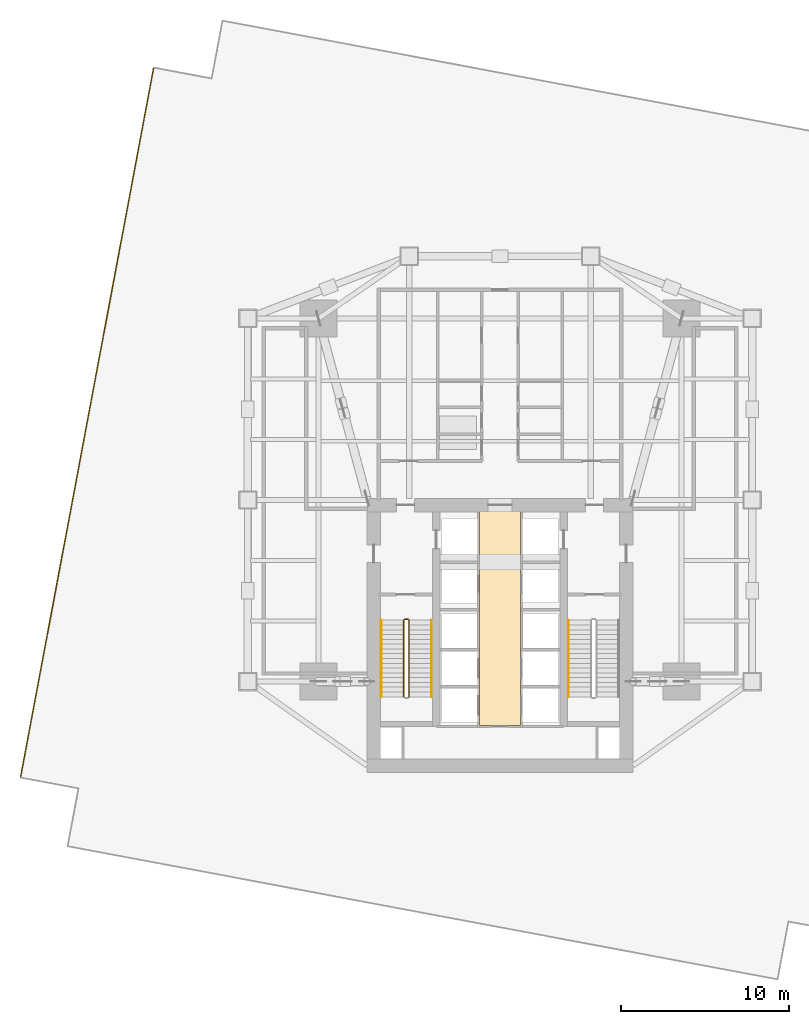
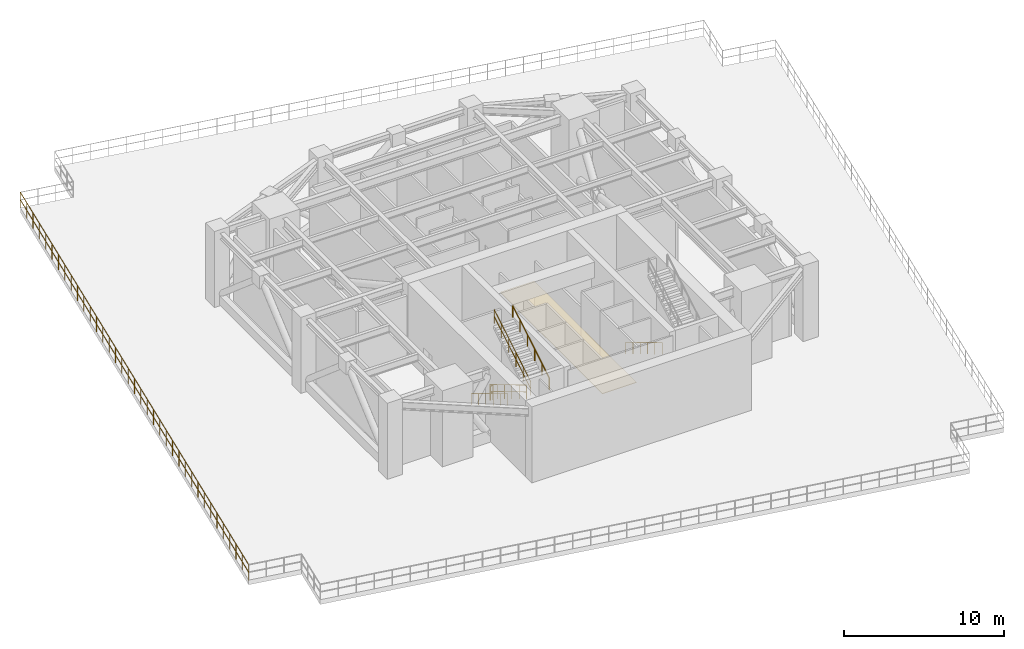
# One storey, part 8 of 10: 7 railings, 1 covering.
"""IFC4 building model written with IfcOpenShell, lengths in metres."""

from ifc_helpers import new_model, si_unit, direction, frame, origin, origin_2d, place, context, subcontext, project, spatial, polyline, circle, outline, extrude, material, layer, layer_set, type_object, element, save


model = new_model("IFC4")

# Units and contexts
model_context = context("Model", 3, precision=1e-05, world=origin(), true_north=direction((0.0, 1.0)))
body_context = subcontext(model_context, "Body", "Model", "MODEL_VIEW")
ifc_project = project(units=[si_unit("LENGTHUNIT", "METRE"), si_unit("AREAUNIT", "SQUARE_METRE"), si_unit("VOLUMEUNIT", "CUBIC_METRE"), si_unit("PLANEANGLEUNIT", "RADIAN"), si_unit("MASSUNIT", "GRAM", prefix="KILO")], contexts=[model_context])

# Site, building, storey
site_placement = place(None, origin())
site = spatial("IfcSite", under=ifc_project, at=site_placement, CompositionType="ELEMENT")
building_placement = place(site_placement, origin())
building = spatial("IfcBuilding", under=site, at=building_placement, Name="Krantzveldt Concourse Tower", CompositionType="ELEMENT")
storey_placement = place(building_placement, frame((0.0, 0.0, 80.300048828125)))
storey = spatial("IfcBuildingStorey", under=building, at=storey_placement, Name="L19", CompositionType="ELEMENT", Elevation=80.300048828125)

# Covering
ifc_material_1 = material(Name="Perforated acoustic mineral-fibre ceiling tile", Category="ceiling")
ifc_layer_1 = layer(ifc_material_1, 0.0400390625, Name="Perforated acoustic mineral-fibre ceiling tile", Category="ceiling")
ifc_layer_set_1 = layer_set([ifc_layer_1], Name="Perforated acoustic mineral-fibre ceiling tile (COV-CEIL-ACOUSTIC)")
covering_type = type_object("IfcCoveringType", Name="COV-CEIL-ACOUSTIC", PredefinedType="CEILING", material=ifc_layer_set_1)
covering_placement = place(storey_placement, frame((0.0, 0.0, 2.75)))
element("IfcCovering", 1, at=covering_placement, inside=storey, type_object=covering_type, Name="CLG-L19-LLB", PredefinedType="CEILING", context=body_context, shape_type="SweptSolid", body=[
    extrude(outline(polyline([(37.22509765625, 13.27490234375), (34.77490234375, 13.27490234375), (34.77490234375, 26.044921875), (37.22509765625, 26.044921875), (37.22509765625, 13.27490234375)])), origin(), (0.0, 0.0, 1.0), 0.0400390625),
])

# Railings
ifc_material_2 = material(Name="Stainless steel 316L", Category="steel")
ifc_layer_2 = layer(ifc_material_2, 0.080078125, Name="Stainless steel 316L", Category="steel")
ifc_layer_set_2 = layer_set([ifc_layer_2], Name="Stainless steel 316L (RL-BALUSTRADE-1150)")
railing_type_1 = type_object("IfcRailingType", Name="RL-BALUSTRADE-1150", PredefinedType="BALUSTRADE", material=ifc_layer_set_2)
railing_1_placement = place(storey_placement, frame((15.392822265625, 52.44091796875, 0.0)))
element("IfcRailing", 2, at=railing_1_placement, inside=storey, type_object=railing_type_1, Name="GD-L19-WIND-02", PredefinedType="BALUSTRADE", context=body_context, shape_type="SweptSolid", body=[
    extrude(circle(Radius=0.02392578125, at=origin_2d()), frame((0.0, 0.0, 1.17578125), z_axis=(-0.184383148164, -0.982854442261, 0.0), x_axis=(0.982854442261, -0.184383148164, 0.0)), (0.0, 0.0, 1.0), 43.0),
    extrude(circle(Radius=0.02392578125, at=origin_2d()), frame((0.0, 0.0, 0.60009765625), z_axis=(-0.184383148164, -0.982854442261, 0.0), x_axis=(0.982854442261, -0.184383148164, 0.0)), (0.0, 0.0, 1.0), 43.0),
    extrude(circle(Radius=0.02099609375, at=origin_2d()), origin(), (0.0, 0.0, 1.0), 1.15185546875),
    extrude(circle(Radius=0.02099609375, at=origin_2d()), frame((-0.22021484375, -1.174072265625, 0.0)), (0.0, 0.0, 1.0), 1.15185546875),
    extrude(circle(Radius=0.02099609375, at=origin_2d()), frame((-0.4404296875, -2.347900390625, 0.0)), (0.0, 0.0, 1.0), 1.15185546875),
    extrude(circle(Radius=0.02099609375, at=origin_2d()), frame((-0.66064453125, -3.52197265625, 0.0)), (0.0, 0.0, 1.0), 1.15185546875),
    extrude(circle(Radius=0.02099609375, at=origin_2d()), frame((-0.880859375, -4.69580078125, 0.0)), (0.0, 0.0, 1.0), 1.15185546875),
    extrude(circle(Radius=0.02099609375, at=origin_2d()), frame((-1.10107421875, -5.869873046875, 0.0)), (0.0, 0.0, 1.0), 1.15185546875),
    extrude(circle(Radius=0.02099609375, at=origin_2d()), frame((-1.3212890625, -7.043701171875, 0.0)), (0.0, 0.0, 1.0), 1.15185546875),
    extrude(circle(Radius=0.02099609375, at=origin_2d()), frame((-1.541748046875, -8.2177734375, 0.0)), (0.0, 0.0, 1.0), 1.15185546875),
    extrude(circle(Radius=0.02099609375, at=origin_2d()), frame((-1.761962890625, -9.3916015625, 0.0)), (0.0, 0.0, 1.0), 1.15185546875),
    extrude(circle(Radius=0.02099609375, at=origin_2d()), frame((-1.982177734375, -10.565673828125, 0.0)), (0.0, 0.0, 1.0), 1.15185546875),
    extrude(circle(Radius=0.02099609375, at=origin_2d()), frame((-2.202392578125, -11.73974609375, 0.0)), (0.0, 0.0, 1.0), 1.15185546875),
    extrude(circle(Radius=0.02099609375, at=origin_2d()), frame((-2.422607421875, -12.91357421875, 0.0)), (0.0, 0.0, 1.0), 1.15185546875),
    extrude(circle(Radius=0.02099609375, at=origin_2d()), frame((-2.642822265625, -14.087646484375, 0.0)), (0.0, 0.0, 1.0), 1.15185546875),
    extrude(circle(Radius=0.02099609375, at=origin_2d()), frame((-2.863037109375, -15.261474609375, 0.0)), (0.0, 0.0, 1.0), 1.15185546875),
    extrude(circle(Radius=0.02099609375, at=origin_2d()), frame((-3.083251953125, -16.435546875, 0.0)), (0.0, 0.0, 1.0), 1.15185546875),
    extrude(circle(Radius=0.02099609375, at=origin_2d()), frame((-3.303466796875, -17.609375, 0.0)), (0.0, 0.0, 1.0), 1.15185546875),
    extrude(circle(Radius=0.02099609375, at=origin_2d()), frame((-3.523681640625, -18.783447265625, 0.0)), (0.0, 0.0, 1.0), 1.15185546875),
    extrude(circle(Radius=0.02099609375, at=origin_2d()), frame((-3.743896484375, -19.957275390625, 0.0)), (0.0, 0.0, 1.0), 1.15185546875),
    extrude(circle(Radius=0.02099609375, at=origin_2d()), frame((-3.96435546875, -21.13134765625, 0.0)), (0.0, 0.0, 1.0), 1.15185546875),
    extrude(circle(Radius=0.02099609375, at=origin_2d()), frame((-4.1845703125, -22.305419921875, 0.0)), (0.0, 0.0, 1.0), 1.15185546875),
    extrude(circle(Radius=0.02099609375, at=origin_2d()), frame((-4.40478515625, -23.479248046875, 0.0)), (0.0, 0.0, 1.0), 1.15185546875),
    extrude(circle(Radius=0.02099609375, at=origin_2d()), frame((-4.625, -24.6533203125, 0.0)), (0.0, 0.0, 1.0), 1.15185546875),
    extrude(circle(Radius=0.02099609375, at=origin_2d()), frame((-4.84521484375, -25.8271484375, 0.0)), (0.0, 0.0, 1.0), 1.15185546875),
    extrude(circle(Radius=0.02099609375, at=origin_2d()), frame((-5.0654296875, -27.001220703125, 0.0)), (0.0, 0.0, 1.0), 1.15185546875),
    extrude(circle(Radius=0.02099609375, at=origin_2d()), frame((-5.28564453125, -28.175048828125, 0.0)), (0.0, 0.0, 1.0), 1.15185546875),
    extrude(circle(Radius=0.02099609375, at=origin_2d()), frame((-5.505859375, -29.34912109375, 0.0)), (0.0, 0.0, 1.0), 1.15185546875),
    extrude(circle(Radius=0.02099609375, at=origin_2d()), frame((-5.72607421875, -30.52294921875, 0.0)), (0.0, 0.0, 1.0), 1.15185546875),
    extrude(circle(Radius=0.02099609375, at=origin_2d()), frame((-5.9462890625, -31.697021484375, 0.0)), (0.0, 0.0, 1.0), 1.15185546875),
    extrude(circle(Radius=0.02099609375, at=origin_2d()), frame((-6.16650390625, -32.87109375, 0.0)), (0.0, 0.0, 1.0), 1.15185546875),
    extrude(circle(Radius=0.02099609375, at=origin_2d()), frame((-6.38671875, -34.044921875, 0.0)), (0.0, 0.0, 1.0), 1.15185546875),
    extrude(circle(Radius=0.02099609375, at=origin_2d()), frame((-6.60693359375, -35.218994140625, 0.0)), (0.0, 0.0, 1.0), 1.15185546875),
    extrude(circle(Radius=0.02099609375, at=origin_2d()), frame((-6.827392578125, -36.392822265625, 0.0)), (0.0, 0.0, 1.0), 1.15185546875),
    extrude(circle(Radius=0.02099609375, at=origin_2d()), frame((-7.047607421875, -37.56689453125, 0.0)), (0.0, 0.0, 1.0), 1.15185546875),
    extrude(circle(Radius=0.02099609375, at=origin_2d()), frame((-7.267822265625, -38.74072265625, 0.0)), (0.0, 0.0, 1.0), 1.15185546875),
    extrude(circle(Radius=0.02099609375, at=origin_2d()), frame((-7.488037109375, -39.914794921875, 0.0)), (0.0, 0.0, 1.0), 1.15185546875),
    extrude(circle(Radius=0.02099609375, at=origin_2d()), frame((-7.708251953125, -41.088623046875, 0.0)), (0.0, 0.0, 1.0), 1.15185546875),
    extrude(circle(Radius=0.02099609375, at=origin_2d()), frame((-7.928466796875, -42.2626953125, 0.0)), (0.0, 0.0, 1.0), 1.15185546875),
])
ifc_layer_3 = layer(ifc_material_2, 0.06005859375, Name="Stainless steel 316L", Category="steel")
ifc_layer_set_3 = layer_set([ifc_layer_3], Name="Stainless steel 316L (RL-GUARD-1120)")
railing_type_2 = type_object("IfcRailingType", Name="RL-GUARD-1120", PredefinedType="GUARDRAIL", material=ifc_layer_set_3)
railing_2_placement = place(storey_placement, frame((30.280029296875, 19.550048828125, 0.170654296875)))
element("IfcRailing", 3, at=railing_2_placement, inside=storey, type_object=railing_type_2, Name="L19 ST-1 stair guard 1", PredefinedType="GUARDRAIL", context=body_context, shape_type="SweptSolid", body=[
    extrude(circle(Radius=0.02392578125, at=origin_2d()), frame((0.0, 0.0, 1.076171875), z_axis=(0.0, -0.858055844578, 0.513556391827), x_axis=(1.0, 0.0, 0.0)), (0.0, 0.0, 1.0), 5.314453125),
    extrude(circle(Radius=0.02392578125, at=origin_2d()), frame((0.0, 0.0, 0.550048828125), z_axis=(0.0, -0.858055844578, 0.513556391827), x_axis=(1.0, 0.0, 0.0)), (0.0, 0.0, 1.0), 5.314453125),
    extrude(circle(Radius=0.02099609375, at=origin_2d()), origin(), (0.0, 0.0, 1.0), 1.052001953125),
    extrude(circle(Radius=0.02099609375, at=origin_2d()), frame((0.0, -0.912109375, 0.5458984375)), (0.0, 0.0, 1.0), 1.052001953125),
    extrude(circle(Radius=0.02099609375, at=origin_2d()), frame((0.0, -1.823974609375, 1.091796875)), (0.0, 0.0, 1.0), 1.052001953125),
    extrude(circle(Radius=0.02099609375, at=origin_2d()), frame((0.0, -2.736083984375, 1.637451171875)), (0.0, 0.0, 1.0), 1.052001953125),
    extrude(circle(Radius=0.02099609375, at=origin_2d()), frame((0.0, -3.64794921875, 2.183349609375)), (0.0, 0.0, 1.0), 1.052001953125),
    extrude(circle(Radius=0.02099609375, at=origin_2d()), frame((0.0, -4.56005859375, 2.729248046875)), (0.0, 0.0, 1.0), 1.052001953125),
])
railing_3_placement = place(storey_placement, frame((30.580078125, 14.989990234375, 3.070556640625)))
element("IfcRailing", 4, at=railing_3_placement, inside=storey, type_object=railing_type_2, Name="L19 ST-1 stair guard 3", PredefinedType="GUARDRAIL", context=body_context, shape_type="SweptSolid", body=[
    extrude(circle(Radius=0.02392578125, at=origin_2d()), frame((0.0, 0.0, 1.076171875), z_axis=(0.0, 0.858035600736, 0.513590213954), x_axis=(-1.0, 0.0, 0.0)), (0.0, 0.0, 1.0), 5.314453125),
    extrude(circle(Radius=0.02392578125, at=origin_2d()), frame((0.0, 0.0, 0.550048828125), z_axis=(0.0, 0.858035600736, 0.513590213954), x_axis=(-1.0, 0.0, 0.0)), (0.0, 0.0, 1.0), 5.314453125),
    extrude(circle(Radius=0.02099609375, at=origin_2d()), origin(), (0.0, 0.0, 1.0), 1.052001953125),
    extrude(circle(Radius=0.02099609375, at=origin_2d()), frame((0.0, 0.912109375, 0.5458984375)), (0.0, 0.0, 1.0), 1.052001953125),
    extrude(circle(Radius=0.02099609375, at=origin_2d()), frame((0.0, 1.823974609375, 1.091796875)), (0.0, 0.0, 1.0), 1.052001953125),
    extrude(circle(Radius=0.02099609375, at=origin_2d()), frame((0.0, 2.736083984375, 1.6376953125)), (0.0, 0.0, 1.0), 1.052001953125),
    extrude(circle(Radius=0.02099609375, at=origin_2d()), frame((0.0, 3.64794921875, 2.18359375)), (0.0, 0.0, 1.0), 1.052001953125),
    extrude(circle(Radius=0.02099609375, at=origin_2d()), frame((0.0, 4.56005859375, 2.7294921875)), (0.0, 0.0, 1.0), 1.052001953125),
])
railing_4_placement = place(storey_placement, frame((30.330078125, 19.60009765625, 0.0)))
element("IfcRailing", 5, at=railing_4_placement, inside=storey, type_object=railing_type_2, Name="L19 ST-1 stair guard 4", PredefinedType="GUARDRAIL", context=body_context, shape_type="SweptSolid", body=[
    extrude(circle(Radius=0.02392578125, at=origin_2d()), frame((0.0, 0.0, 1.076171875), z_axis=(1.0, 0.0, 0.0), x_axis=(0.0, 1.0, 0.0)), (0.0, 0.0, 1.0), 0.199951171875),
    extrude(circle(Radius=0.02392578125, at=origin_2d()), frame((0.0, 0.0, 0.550048828125), z_axis=(1.0, 0.0, 0.0), x_axis=(0.0, 1.0, 0.0)), (0.0, 0.0, 1.0), 0.199951171875),
    extrude(circle(Radius=0.02099609375, at=origin_2d()), origin(), (0.0, 0.0, 1.0), 1.052001953125),
    extrude(circle(Radius=0.02099609375, at=origin_2d()), frame((0.199951171875, 0.0, 0.0)), (0.0, 0.0, 1.0), 1.052001953125),
])
ifc_layer_4 = layer(ifc_material_2, 0.050048828125, Name="Stainless steel 316L", Category="steel")
ifc_layer_set_4 = layer_set([ifc_layer_4], Name="Stainless steel 316L (RL-HANDRAIL-920)")
railing_type_3 = type_object("IfcRailingType", Name="RL-HANDRAIL-920", PredefinedType="HANDRAIL", material=ifc_layer_set_4)
railing_5_placement = place(storey_placement, frame((28.929931640625, 19.550048828125, 0.170654296875)))
element("IfcRailing", 6, at=railing_5_placement, inside=storey, type_object=railing_type_3, Name="L19 ST-1 stair handrail 1", PredefinedType="HANDRAIL", context=body_context, shape_type="SweptSolid", body=[
    extrude(circle(Radius=0.02392578125, at=origin_2d()), frame((0.0, 0.0, 0.8759765625), z_axis=(0.0, -0.858055844578, 0.513556391827), x_axis=(1.0, 0.0, 0.0)), (0.0, 0.0, 1.0), 5.314453125),
    extrude(circle(Radius=0.02099609375, at=origin_2d()), origin(), (0.0, 0.0, 1.0), 0.851806640625),
    extrude(circle(Radius=0.02099609375, at=origin_2d()), frame((0.0, -0.912109375, 0.5458984375)), (0.0, 0.0, 1.0), 0.851806640625),
    extrude(circle(Radius=0.02099609375, at=origin_2d()), frame((0.0, -1.823974609375, 1.091796875)), (0.0, 0.0, 1.0), 0.851806640625),
    extrude(circle(Radius=0.02099609375, at=origin_2d()), frame((0.0, -2.736083984375, 1.637451171875)), (0.0, 0.0, 1.0), 0.851806640625),
    extrude(circle(Radius=0.02099609375, at=origin_2d()), frame((0.0, -3.64794921875, 2.183349609375)), (0.0, 0.0, 1.0), 0.851806640625),
    extrude(circle(Radius=0.02099609375, at=origin_2d()), frame((0.0, -4.56005859375, 2.729248046875)), (0.0, 0.0, 1.0), 0.851806640625),
])
railing_6_placement = place(storey_placement, frame((31.929931640625, 14.989990234375, 3.070556640625)))
element("IfcRailing", 7, at=railing_6_placement, inside=storey, type_object=railing_type_3, Name="L19 ST-1 stair handrail 2", PredefinedType="HANDRAIL", context=body_context, shape_type="SweptSolid", body=[
    extrude(circle(Radius=0.02392578125, at=origin_2d()), frame((0.0, 0.0, 0.8759765625), z_axis=(0.0, 0.858035600736, 0.513590213954), x_axis=(-1.0, 0.0, 0.0)), (0.0, 0.0, 1.0), 5.314453125),
    extrude(circle(Radius=0.02099609375, at=origin_2d()), origin(), (0.0, 0.0, 1.0), 0.851806640625),
    extrude(circle(Radius=0.02099609375, at=origin_2d()), frame((0.0, 0.912109375, 0.5458984375)), (0.0, 0.0, 1.0), 0.851806640625),
    extrude(circle(Radius=0.02099609375, at=origin_2d()), frame((0.0, 1.823974609375, 1.091796875)), (0.0, 0.0, 1.0), 0.851806640625),
    extrude(circle(Radius=0.02099609375, at=origin_2d()), frame((0.0, 2.736083984375, 1.6376953125)), (0.0, 0.0, 1.0), 0.851806640625),
    extrude(circle(Radius=0.02099609375, at=origin_2d()), frame((0.0, 3.64794921875, 2.18359375)), (0.0, 0.0, 1.0), 0.851806640625),
    extrude(circle(Radius=0.02099609375, at=origin_2d()), frame((0.0, 4.56005859375, 2.7294921875)), (0.0, 0.0, 1.0), 0.851806640625),
])
railing_7_placement = place(storey_placement, frame((40.070068359375, 19.550048828125, 0.170654296875)))
element("IfcRailing", 8, at=railing_7_placement, inside=storey, type_object=railing_type_3, Name="L19 ST-2 stair handrail 1", PredefinedType="HANDRAIL", context=body_context, shape_type="SweptSolid", body=[
    extrude(circle(Radius=0.02392578125, at=origin_2d()), frame((0.0, 0.0, 0.8759765625), z_axis=(0.0, -0.858055844578, 0.513556391827), x_axis=(1.0, 0.0, 0.0)), (0.0, 0.0, 1.0), 5.314453125),
    extrude(circle(Radius=0.02099609375, at=origin_2d()), origin(), (0.0, 0.0, 1.0), 0.851806640625),
    extrude(circle(Radius=0.02099609375, at=origin_2d()), frame((0.0, -0.912109375, 0.5458984375)), (0.0, 0.0, 1.0), 0.851806640625),
    extrude(circle(Radius=0.02099609375, at=origin_2d()), frame((0.0, -1.823974609375, 1.091796875)), (0.0, 0.0, 1.0), 0.851806640625),
    extrude(circle(Radius=0.02099609375, at=origin_2d()), frame((0.0, -2.736083984375, 1.637451171875)), (0.0, 0.0, 1.0), 0.851806640625),
    extrude(circle(Radius=0.02099609375, at=origin_2d()), frame((0.0, -3.64794921875, 2.183349609375)), (0.0, 0.0, 1.0), 0.851806640625),
    extrude(circle(Radius=0.02099609375, at=origin_2d()), frame((0.0, -4.56005859375, 2.729248046875)), (0.0, 0.0, 1.0), 0.851806640625),
])

save(model, "model.ifc")
